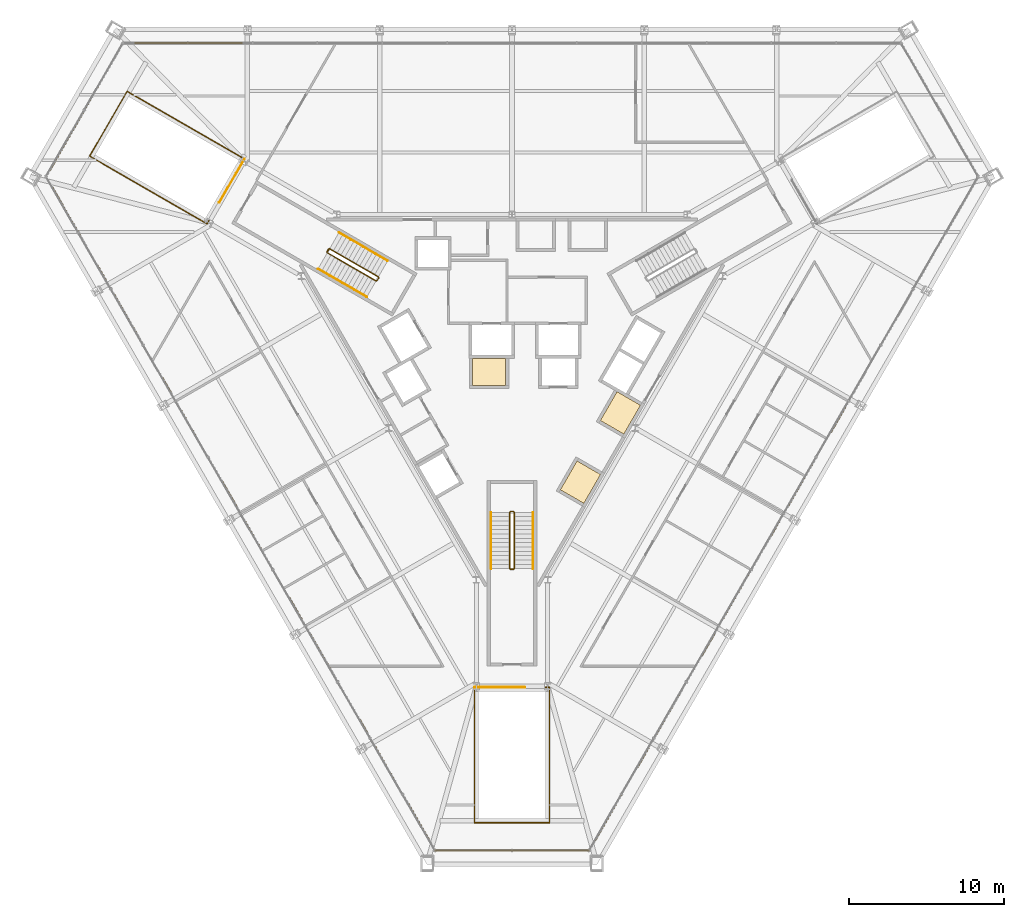
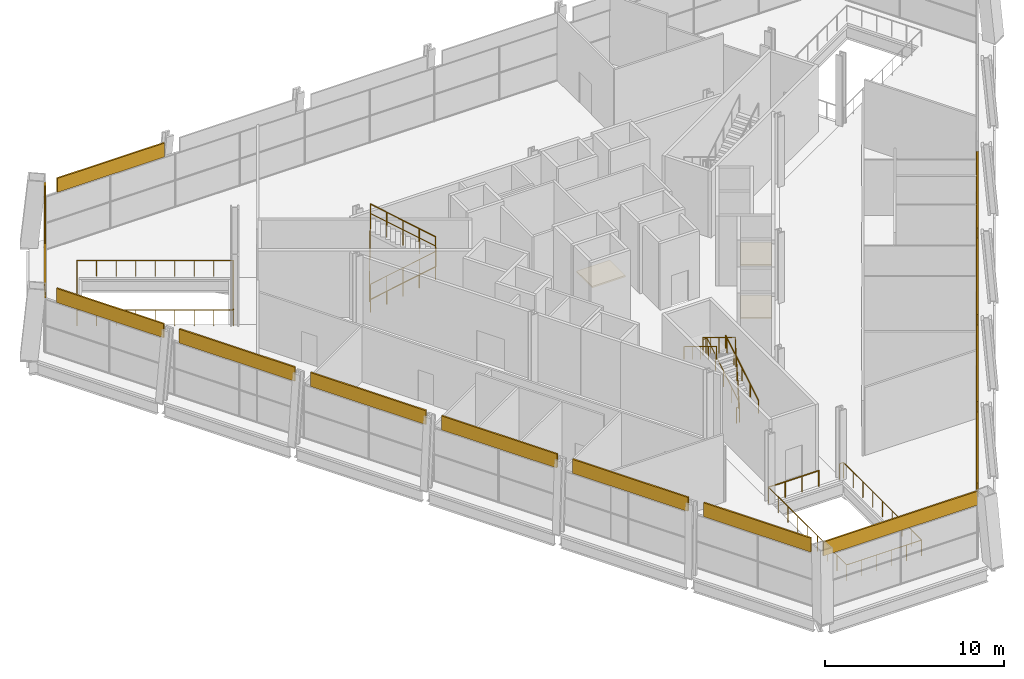
# One storey, part 17 of 18: 16 coverings, 10 railings.
"""IFC4 building model written with IfcOpenShell, lengths in metres."""

from ifc_helpers import new_model, si_unit, direction, frame, origin, origin_2d, place, context, subcontext, project, spatial, polyline, rectangle, circle, outline, extrude, material, layer, layer_set, type_object, element, save


model = new_model("IFC4")

# Units and contexts
model_context = context("Model", 3, precision=1e-05, world=origin(), true_north=direction((0.0, 1.0)))
body_context = subcontext(model_context, "Body", "Model", "MODEL_VIEW")
ifc_project = project(units=[si_unit("LENGTHUNIT", "METRE"), si_unit("AREAUNIT", "SQUARE_METRE"), si_unit("VOLUMEUNIT", "CUBIC_METRE"), si_unit("PLANEANGLEUNIT", "RADIAN"), si_unit("MASSUNIT", "GRAM", prefix="KILO")], contexts=[model_context])

# Site, building, storey
site_placement = place(None, origin())
site = spatial("IfcSite", under=ifc_project, at=site_placement, CompositionType="ELEMENT")
building_placement = place(site_placement, origin())
building = spatial("IfcBuilding", under=site, at=building_placement, Name="Verrane Prism Tower", CompositionType="ELEMENT")
storey_placement = place(building_placement, frame((0.0, 0.0, 32.0)))
storey = spatial("IfcBuildingStorey", under=building, at=storey_placement, Name="L05", CompositionType="ELEMENT", Elevation=32.0)

# Coverings
ifc_material_1 = material(Name="Limestone cladding", Category="masonry")
ifc_layer_1 = layer(ifc_material_1, 0.10009765625)
ifc_layer_set_1 = layer_set([ifc_layer_1], Name="FA-100 stone fascia panel")
covering_type_1 = type_object("IfcCoveringType", Name="FA-100 stone fascia panel", PredefinedType="CLADDING", material=ifc_layer_set_1)
covering_1_placement = place(storey_placement, frame((-20.908203125, 20.27001953125, 3.68994140625), z_axis=(0.0, 0.0, 1.0), x_axis=(-1.0, 0.0, 0.0)))
element("IfcCovering", 1, at=covering_1_placement, inside=storey, type_object=covering_type_1, Name="Stone fascia L05 2.6", PredefinedType="CLADDING", context=body_context, shape_type="SweptSolid", body=[
    extrude(rectangle(XDim=6.93115234375, YDim=0.10009765625, at=origin_2d()), origin(), (0.0, 0.0, 1.0), 0.949951171875),
])
covering_2_placement = place(storey_placement, frame((-27.63818359375, 15.956787109375, 3.68994140625), z_axis=(0.0, 0.0, 1.0), x_axis=(-0.499999190728, -0.866025871017, 0.0)))
element("IfcCovering", 2, at=covering_2_placement, inside=storey, type_object=covering_type_1, Name="Stone fascia L05 3.1", PredefinedType="CLADDING", context=body_context, shape_type="SweptSolid", body=[
    extrude(rectangle(XDim=9.960693359375, YDim=0.10009765625, at=origin_2d()), origin(), (0.0, 0.0, 1.0), 0.949951171875),
])
covering_3_placement = place(storey_placement, frame((-28.010498046875, 7.975341796875, 3.68994140625), z_axis=(0.0, 0.0, 1.0), x_axis=(0.500000118955, -0.866025335106, 0.0)))
element("IfcCovering", 3, at=covering_3_placement, inside=storey, type_object=covering_type_1, Name="Stone fascia L05 4.1", PredefinedType="CLADDING", context=body_context, shape_type="SweptSolid", body=[
    extrude(rectangle(XDim=6.934326171875, YDim=0.10009765625, at=origin_2d()), origin(), (0.0, 0.0, 1.0), 0.949951171875),
])
covering_4_placement = place(storey_placement, frame((-23.908203125, 0.870361328125, 3.68994140625), z_axis=(0.0, 0.0, 1.0), x_axis=(0.500000118955, -0.866025335106, 0.0)))
element("IfcCovering", 4, at=covering_4_placement, inside=storey, type_object=covering_type_1, Name="Stone fascia L05 4.2", PredefinedType="CLADDING", context=body_context, shape_type="SweptSolid", body=[
    extrude(rectangle(XDim=7.473876953125, YDim=0.10009765625, at=origin_2d()), origin(), (0.0, 0.0, 1.0), 0.949951171875),
])
covering_5_placement = place(storey_placement, frame((-19.673095703125, -6.465087890625, 3.68994140625), z_axis=(0.0, 0.0, 1.0), x_axis=(0.500000118955, -0.866025335106, 0.0)))
element("IfcCovering", 5, at=covering_5_placement, inside=storey, type_object=covering_type_1, Name="Stone fascia L05 4.3", PredefinedType="CLADDING", context=body_context, shape_type="SweptSolid", body=[
    extrude(rectangle(XDim=7.466796875, YDim=0.10009765625, at=origin_2d()), origin(), (0.0, 0.0, 1.0), 0.949951171875),
])
covering_6_placement = place(storey_placement, frame((-15.438232421875, -13.800048828125, 3.68994140625), z_axis=(0.0, 0.0, 1.0), x_axis=(0.500000118955, -0.866025335106, 0.0)))
element("IfcCovering", 6, at=covering_6_placement, inside=storey, type_object=covering_type_1, Name="Stone fascia L05 4.4", PredefinedType="CLADDING", context=body_context, shape_type="SweptSolid", body=[
    extrude(rectangle(XDim=7.472900390625, YDim=0.10009765625, at=origin_2d()), origin(), (0.0, 0.0, 1.0), 0.949951171875),
])
covering_7_placement = place(storey_placement, frame((-11.20166015625, -21.13818359375, 3.68994140625), z_axis=(0.0, 0.0, 1.0), x_axis=(0.500000118955, -0.866025335106, 0.0)))
element("IfcCovering", 7, at=covering_7_placement, inside=storey, type_object=covering_type_1, Name="Stone fascia L05 4.5", PredefinedType="CLADDING", context=body_context, shape_type="SweptSolid", body=[
    extrude(rectangle(XDim=7.473876953125, YDim=0.10009765625, at=origin_2d()), origin(), (0.0, 0.0, 1.0), 0.949951171875),
])
covering_8_placement = place(storey_placement, frame((-7.099365234375, -28.24365234375, 3.68994140625), z_axis=(0.0, 0.0, 1.0), x_axis=(0.500000118955, -0.866025335106, 0.0)))
element("IfcCovering", 8, at=covering_8_placement, inside=storey, type_object=covering_type_1, Name="Stone fascia L05 4.6", PredefinedType="CLADDING", context=body_context, shape_type="SweptSolid", body=[
    extrude(rectangle(XDim=6.935302734375, YDim=0.10009765625, at=origin_2d()), origin(), (0.0, 0.0, 1.0), 0.949951171875),
])
covering_9_placement = place(storey_placement, frame((0.0, -31.913818359375, 3.68994140625), z_axis=(0.0, 0.0, 1.0), x_axis=(1.0, 0.0, 0.0)))
element("IfcCovering", 9, at=covering_9_placement, inside=storey, type_object=covering_type_1, Name="Stone fascia L05 5.1", PredefinedType="CLADDING", context=body_context, shape_type="SweptSolid", body=[
    extrude(rectangle(XDim=9.960693359375, YDim=0.10009765625, at=origin_2d()), origin(), (0.0, 0.0, 1.0), 0.949951171875),
])
covering_10_placement = place(storey_placement, frame((7.099365234375, -28.24365234375, 3.68994140625), z_axis=(0.0, 0.0, 1.0), x_axis=(0.500000118955, 0.866025335106, 0.0)))
element("IfcCovering", 10, at=covering_10_placement, inside=storey, type_object=covering_type_1, Name="Stone fascia L05 6.1", PredefinedType="CLADDING", context=body_context, shape_type="SweptSolid", body=[
    extrude(rectangle(XDim=6.935302734375, YDim=0.10009765625, at=origin_2d()), origin(), (0.0, 0.0, 1.0), 0.949951171875),
])
covering_11_placement = place(storey_placement, frame((11.20166015625, -21.13818359375, 3.68994140625), z_axis=(0.0, 0.0, 1.0), x_axis=(0.500000118955, 0.866025335106, 0.0)))
element("IfcCovering", 11, at=covering_11_placement, inside=storey, type_object=covering_type_1, Name="Stone fascia L05 6.2", PredefinedType="CLADDING", context=body_context, shape_type="SweptSolid", body=[
    extrude(rectangle(XDim=7.473876953125, YDim=0.10009765625, at=origin_2d()), origin(), (0.0, 0.0, 1.0), 0.949951171875),
])
covering_12_placement = place(storey_placement, frame((15.438232421875, -13.800048828125, 3.68994140625), z_axis=(0.0, 0.0, 1.0), x_axis=(0.500000118955, 0.866025335106, 0.0)))
element("IfcCovering", 12, at=covering_12_placement, inside=storey, type_object=covering_type_1, Name="Stone fascia L05 6.3", PredefinedType="CLADDING", context=body_context, shape_type="SweptSolid", body=[
    extrude(rectangle(XDim=7.472900390625, YDim=0.10009765625, at=origin_2d()), origin(), (0.0, 0.0, 1.0), 0.949951171875),
])
covering_13_placement = place(storey_placement, frame((19.673095703125, -6.465087890625, 3.68994140625), z_axis=(0.0, 0.0, 1.0), x_axis=(0.500000118955, 0.866025335106, 0.0)))
element("IfcCovering", 13, at=covering_13_placement, inside=storey, type_object=covering_type_1, Name="Stone fascia L05 6.4", PredefinedType="CLADDING", context=body_context, shape_type="SweptSolid", body=[
    extrude(rectangle(XDim=7.466796875, YDim=0.10009765625, at=origin_2d()), origin(), (0.0, 0.0, 1.0), 0.949951171875),
])

# Railings
ifc_material_2 = material(Name="Stainless steel and laminated glass", Category="steel")
railing_type_1 = type_object("IfcRailingType", Name="GR-1100 glass and steel guard", PredefinedType="GUARDRAIL", material=ifc_material_2)
railing_1_placement = place(storey_placement, frame((-17.296875, 12.78076171875, 0.0)))
element("IfcRailing", 14, at=railing_1_placement, inside=storey, type_object=railing_type_1, Name="Guard EW2 L05 1", PredefinedType="GUARDRAIL", context=body_context, shape_type="SweptSolid", body=[
    extrude(circle(Radius=0.02392578125, at=origin_2d()), frame((0.0, 0.0, 1.076171875), z_axis=(-0.866029934428, 0.499992152613, 0.0), x_axis=(-0.499992152613, -0.866029934428, 0.0)), (0.0, 0.0, 1.0), 8.750244140625),
    extrude(circle(Radius=0.02392578125, at=origin_2d()), frame((-7.577880859375, 4.375, 1.076171875), z_axis=(-0.499980071345, -0.866036909293, 0.0), x_axis=(0.866036909293, -0.499980071345, 0.0)), (0.0, 0.0, 1.0), 4.840087890625),
    extrude(circle(Radius=0.02392578125, at=origin_2d()), frame((-9.997802734375, 0.183349609375, 1.076171875), z_axis=(0.866022959057, -0.500004234368, 0.0), x_axis=(0.500004234368, 0.866022959057, 0.0)), (0.0, 0.0, 1.0), 8.75),
    extrude(circle(Radius=0.02392578125, at=origin_2d()), frame((-2.420166015625, -4.191650390625, 1.076171875), z_axis=(0.499919672301, 0.866071776036, 0.0), x_axis=(-0.866071776036, 0.499919672301, 0.0)), (0.0, 0.0, 1.0), 0.25),
    extrude(circle(Radius=0.02099609375, at=origin_2d()), origin(), (0.0, 0.0, 1.0), 1.052001953125),
    extrude(circle(Radius=0.02099609375, at=origin_2d()), frame((-0.947265625, 0.546875, 0.0)), (0.0, 0.0, 1.0), 1.052001953125),
    extrude(circle(Radius=0.02099609375, at=origin_2d()), frame((-1.89453125, 1.09375, 0.0)), (0.0, 0.0, 1.0), 1.052001953125),
    extrude(circle(Radius=0.02099609375, at=origin_2d()), frame((-2.841796875, 1.640625, 0.0)), (0.0, 0.0, 1.0), 1.052001953125),
    extrude(circle(Radius=0.02099609375, at=origin_2d()), frame((-3.7890625, 2.1875, 0.0)), (0.0, 0.0, 1.0), 1.052001953125),
    extrude(circle(Radius=0.02099609375, at=origin_2d()), frame((-4.736083984375, 2.734375, 0.0)), (0.0, 0.0, 1.0), 1.052001953125),
    extrude(circle(Radius=0.02099609375, at=origin_2d()), frame((-5.683349609375, 3.28125, 0.0)), (0.0, 0.0, 1.0), 1.052001953125),
    extrude(circle(Radius=0.02099609375, at=origin_2d()), frame((-6.630615234375, 3.828125, 0.0)), (0.0, 0.0, 1.0), 1.052001953125),
    extrude(circle(Radius=0.02099609375, at=origin_2d()), frame((-7.577880859375, 4.375, 0.0)), (0.0, 0.0, 1.0), 1.052001953125),
    extrude(circle(Radius=0.02099609375, at=origin_2d()), frame((-8.061767578125, 3.53662109375, 0.0)), (0.0, 0.0, 1.0), 1.052001953125),
    extrude(circle(Radius=0.02099609375, at=origin_2d()), frame((-8.5458984375, 2.6982421875, 0.0)), (0.0, 0.0, 1.0), 1.052001953125),
    extrude(circle(Radius=0.02099609375, at=origin_2d()), frame((-9.02978515625, 1.860107421875, 0.0)), (0.0, 0.0, 1.0), 1.052001953125),
    extrude(circle(Radius=0.02099609375, at=origin_2d()), frame((-9.513916015625, 1.021728515625, 0.0)), (0.0, 0.0, 1.0), 1.052001953125),
    extrude(circle(Radius=0.02099609375, at=origin_2d()), frame((-9.997802734375, 0.183349609375, 0.0)), (0.0, 0.0, 1.0), 1.052001953125),
    extrude(circle(Radius=0.02099609375, at=origin_2d()), frame((-9.050537109375, -0.363525390625, 0.0)), (0.0, 0.0, 1.0), 1.052001953125),
    extrude(circle(Radius=0.02099609375, at=origin_2d()), frame((-8.103515625, -0.910400390625, 0.0)), (0.0, 0.0, 1.0), 1.052001953125),
    extrude(circle(Radius=0.02099609375, at=origin_2d()), frame((-7.15625, -1.457275390625, 0.0)), (0.0, 0.0, 1.0), 1.052001953125),
    extrude(circle(Radius=0.02099609375, at=origin_2d()), frame((-6.208984375, -2.004150390625, 0.0)), (0.0, 0.0, 1.0), 1.052001953125),
    extrude(circle(Radius=0.02099609375, at=origin_2d()), frame((-5.26171875, -2.551025390625, 0.0)), (0.0, 0.0, 1.0), 1.052001953125),
    extrude(circle(Radius=0.02099609375, at=origin_2d()), frame((-4.314453125, -3.097900390625, 0.0)), (0.0, 0.0, 1.0), 1.052001953125),
    extrude(circle(Radius=0.02099609375, at=origin_2d()), frame((-3.367431640625, -3.644775390625, 0.0)), (0.0, 0.0, 1.0), 1.052001953125),
    extrude(circle(Radius=0.02099609375, at=origin_2d()), frame((-2.420166015625, -4.191650390625, 0.0)), (0.0, 0.0, 1.0), 1.052001953125),
    extrude(circle(Radius=0.02099609375, at=origin_2d()), frame((-2.295166015625, -3.97509765625, 0.0)), (0.0, 0.0, 1.0), 1.052001953125),
])
railing_2_placement = place(storey_placement, frame((-18.921875, 9.96630859375, 0.0)))
element("IfcRailing", 15, at=railing_2_placement, inside=storey, type_object=railing_type_1, Name="Guard EW2 L05 2", PredefinedType="GUARDRAIL", context=body_context, shape_type="SweptSolid", body=[
    extrude(circle(Radius=0.02392578125, at=origin_2d()), frame((0.0, 0.0, 1.076171875), z_axis=(0.500017246033, 0.866015446554, 0.0), x_axis=(-0.866015446554, 0.500017246033, 0.0)), (0.0, 0.0, 1.0), 3.25),
    extrude(circle(Radius=0.02099609375, at=origin_2d()), origin(), (0.0, 0.0, 1.0), 1.052001953125),
    extrude(circle(Radius=0.02099609375, at=origin_2d()), frame((0.541748046875, 0.938232421875, 0.0)), (0.0, 0.0, 1.0), 1.052001953125),
    extrude(circle(Radius=0.02099609375, at=origin_2d()), frame((1.083251953125, 1.876220703125, 0.0)), (0.0, 0.0, 1.0), 1.052001953125),
    extrude(circle(Radius=0.02099609375, at=origin_2d()), frame((1.625, 2.814453125, 0.0)), (0.0, 0.0, 1.0), 1.052001953125),
])
railing_3_placement = place(storey_placement, frame((-2.419921875, -21.3701171875, 0.0)))
element("IfcRailing", 16, at=railing_3_placement, inside=storey, type_object=railing_type_1, Name="Guard EW3 L05 1", PredefinedType="GUARDRAIL", context=body_context, shape_type="SweptSolid", body=[
    extrude(circle(Radius=0.02392578125, at=origin_2d()), frame((0.0, 0.0, 1.076171875), z_axis=(0.0, -1.0, 0.0), x_axis=(1.0, 0.0, 0.0)), (0.0, 0.0, 1.0), 8.75),
    extrude(circle(Radius=0.02392578125, at=origin_2d()), frame((0.0, -8.75, 1.076171875), z_axis=(1.0, 0.0, 0.0), x_axis=(0.0, 1.0, 0.0)), (0.0, 0.0, 1.0), 4.83984375),
    extrude(circle(Radius=0.02392578125, at=origin_2d()), frame((4.83984375, -8.75, 1.076171875), z_axis=(0.0, 1.0, 0.0), x_axis=(-1.0, 0.0, 0.0)), (0.0, 0.0, 1.0), 8.75),
    extrude(circle(Radius=0.02392578125, at=origin_2d()), frame((4.83984375, 0.0, 1.076171875), z_axis=(-1.0, 0.0, 0.0), x_axis=(0.0, -1.0, 0.0)), (0.0, 0.0, 1.0), 0.25),
    extrude(circle(Radius=0.02099609375, at=origin_2d()), origin(), (0.0, 0.0, 1.0), 1.052001953125),
    extrude(circle(Radius=0.02099609375, at=origin_2d()), frame((0.0, -1.09375, 0.0)), (0.0, 0.0, 1.0), 1.052001953125),
    extrude(circle(Radius=0.02099609375, at=origin_2d()), frame((0.0, -2.1875, 0.0)), (0.0, 0.0, 1.0), 1.052001953125),
    extrude(circle(Radius=0.02099609375, at=origin_2d()), frame((0.0, -3.28125, 0.0)), (0.0, 0.0, 1.0), 1.052001953125),
    extrude(circle(Radius=0.02099609375, at=origin_2d()), frame((0.0, -4.375, 0.0)), (0.0, 0.0, 1.0), 1.052001953125),
    extrude(circle(Radius=0.02099609375, at=origin_2d()), frame((0.0, -5.46875, 0.0)), (0.0, 0.0, 1.0), 1.052001953125),
    extrude(circle(Radius=0.02099609375, at=origin_2d()), frame((0.0, -6.5625, 0.0)), (0.0, 0.0, 1.0), 1.052001953125),
    extrude(circle(Radius=0.02099609375, at=origin_2d()), frame((0.0, -7.65625, 0.0)), (0.0, 0.0, 1.0), 1.052001953125),
    extrude(circle(Radius=0.02099609375, at=origin_2d()), frame((0.0, -8.75, 0.0)), (0.0, 0.0, 1.0), 1.052001953125),
    extrude(circle(Radius=0.02099609375, at=origin_2d()), frame((0.968017578125, -8.75, 0.0)), (0.0, 0.0, 1.0), 1.052001953125),
    extrude(circle(Radius=0.02099609375, at=origin_2d()), frame((1.93603515625, -8.75, 0.0)), (0.0, 0.0, 1.0), 1.052001953125),
    extrude(circle(Radius=0.02099609375, at=origin_2d()), frame((2.90380859375, -8.75, 0.0)), (0.0, 0.0, 1.0), 1.052001953125),
    extrude(circle(Radius=0.02099609375, at=origin_2d()), frame((3.871826171875, -8.75, 0.0)), (0.0, 0.0, 1.0), 1.052001953125),
    extrude(circle(Radius=0.02099609375, at=origin_2d()), frame((4.83984375, -8.75, 0.0)), (0.0, 0.0, 1.0), 1.052001953125),
    extrude(circle(Radius=0.02099609375, at=origin_2d()), frame((4.83984375, -7.65625, 0.0)), (0.0, 0.0, 1.0), 1.052001953125),
    extrude(circle(Radius=0.02099609375, at=origin_2d()), frame((4.83984375, -6.5625, 0.0)), (0.0, 0.0, 1.0), 1.052001953125),
    extrude(circle(Radius=0.02099609375, at=origin_2d()), frame((4.83984375, -5.46875, 0.0)), (0.0, 0.0, 1.0), 1.052001953125),
    extrude(circle(Radius=0.02099609375, at=origin_2d()), frame((4.83984375, -4.375, 0.0)), (0.0, 0.0, 1.0), 1.052001953125),
    extrude(circle(Radius=0.02099609375, at=origin_2d()), frame((4.83984375, -3.28125, 0.0)), (0.0, 0.0, 1.0), 1.052001953125),
    extrude(circle(Radius=0.02099609375, at=origin_2d()), frame((4.83984375, -2.1875, 0.0)), (0.0, 0.0, 1.0), 1.052001953125),
    extrude(circle(Radius=0.02099609375, at=origin_2d()), frame((4.83984375, -1.09375, 0.0)), (0.0, 0.0, 1.0), 1.052001953125),
    extrude(circle(Radius=0.02099609375, at=origin_2d()), frame((4.83984375, 0.0, 0.0)), (0.0, 0.0, 1.0), 1.052001953125),
    extrude(circle(Radius=0.02099609375, at=origin_2d()), frame((4.58984375, 0.0, 0.0)), (0.0, 0.0, 1.0), 1.052001953125),
])
railing_4_placement = place(storey_placement, frame((0.830078125, -21.3701171875, 0.0)))
element("IfcRailing", 17, at=railing_4_placement, inside=storey, type_object=railing_type_1, Name="Guard EW3 L05 2", PredefinedType="GUARDRAIL", context=body_context, shape_type="SweptSolid", body=[
    extrude(circle(Radius=0.02392578125, at=origin_2d()), frame((0.0, 0.0, 1.076171875), z_axis=(-1.0, 0.0, 0.0), x_axis=(0.0, -1.0, 0.0)), (0.0, 0.0, 1.0), 3.25),
    extrude(circle(Radius=0.02099609375, at=origin_2d()), origin(), (0.0, 0.0, 1.0), 1.052001953125),
    extrude(circle(Radius=0.02099609375, at=origin_2d()), frame((-1.083251953125, 0.0, 0.0)), (0.0, 0.0, 1.0), 1.052001953125),
    extrude(circle(Radius=0.02099609375, at=origin_2d()), frame((-2.166748046875, 0.0, 0.0)), (0.0, 0.0, 1.0), 1.052001953125),
    extrude(circle(Radius=0.02099609375, at=origin_2d()), frame((-3.25, 0.0, 0.0)), (0.0, 0.0, 1.0), 1.052001953125),
])

# Coverings
ifc_material_3 = material(Name="Concrete C40/50", Category="concrete")
ifc_layer_2 = layer(ifc_material_3, 0.10009765625)
ifc_layer_set_2 = layer_set([ifc_layer_2], Name="Lift pit floor 100 concrete C40/50")
covering_type_2 = type_object("IfcCoveringType", Name="Lift pit floor 100 concrete C40/50", PredefinedType="FLOORING", material=ifc_layer_set_2)
covering_14_placement = place(storey_placement, frame((0.0, 0.0, 2.89990234375)))
element("IfcCovering", 18, at=covering_14_placement, inside=storey, type_object=covering_type_2, Name="Bank A lift 2 pit floor", PredefinedType="FLOORING", context=body_context, shape_type="SweptSolid", body=[
    extrude(outline(polyline([(-2.554931640625, -1.85009765625), (-2.554931640625, -0.10009765625), (-0.405029296875, -0.10009765625), (-0.405029296875, -1.85009765625), (-2.554931640625, -1.85009765625)])), origin(), (0.0, 0.0, 1.0), 0.10009765625),
])
covering_15_placement = place(storey_placement, frame((0.0, 0.0, 2.89990234375)))
element("IfcCovering", 19, at=covering_15_placement, inside=storey, type_object=covering_type_2, Name="Bank A lift 4 pit floor", PredefinedType="FLOORING", context=body_context, shape_type="SweptSolid", body=[
    extrude(outline(polyline([(4.203369140625, -6.739501953125), (5.718994140625, -7.614501953125), (4.643798828125, -9.4765625), (3.12841796875, -8.6015625), (4.203369140625, -6.739501953125)])), origin(), (0.0, 0.0, 1.0), 0.10009765625),
])
covering_16_placement = place(storey_placement, frame((0.0, 0.0, 2.89990234375)))
element("IfcCovering", 20, at=covering_16_placement, inside=storey, type_object=covering_type_2, Name="Bank A lift 5 pit floor", PredefinedType="FLOORING", context=body_context, shape_type="SweptSolid", body=[
    extrude(outline(polyline([(6.788330078125, -2.26220703125), (8.303955078125, -3.13720703125), (7.22900390625, -4.999267578125), (5.71337890625, -4.124267578125), (6.788330078125, -2.26220703125)])), origin(), (0.0, 0.0, 1.0), 0.10009765625),
])

# Railings
ifc_material_4 = material(Name="Steel A36 rail and posts, no infill", Category="steel")
railing_type_2 = type_object("IfcRailingType", Name="Stair guard 1100 steel rail and posts", PredefinedType="GUARDRAIL", material=ifc_material_4)
railing_5_placement = place(storey_placement, frame((-11.939453125, 6.72021484375, 0.17138671875)))
element("IfcRailing", 21, at=railing_5_placement, inside=storey, type_object=railing_type_2, Name="Stair 2 guard", PredefinedType="GUARDRAIL", context=body_context, shape_type="SweptSolid", body=[
    extrude(circle(Radius=0.02392578125, at=origin_2d()), frame((0.0, 0.0, 1.076171875), z_axis=(0.738592093898, -0.426440834883, 0.522139764025), x_axis=(0.500012742938, 0.866018046521, 0.0)), (0.0, 0.0, 1.0), 4.26806640625),
    extrude(circle(Radius=0.02392578125, at=origin_2d()), frame((3.15234375, -1.820068359375, 3.3046875), z_axis=(0.965715946433, 0.259601060869, 0.0), x_axis=(-0.259601060869, 0.965715946433, 0.0)), (0.0, 0.0, 1.0), 0.070556640625),
    extrude(circle(Radius=0.02392578125, at=origin_2d()), frame((3.220458984375, -1.8017578125, 3.3046875), z_axis=(0.500603037456, 0.865676959893, 0.0), x_axis=(-0.865676959893, 0.500603037456, 0.0)), (0.0, 0.0, 1.0), 0.199951171875),
    extrude(circle(Radius=0.02392578125, at=origin_2d()), frame((3.320556640625, -1.628662109375, 3.3046875), z_axis=(-0.098630094936, 0.368219021093, 0.924492756531), x_axis=(-0.965948051503, -0.258736085224, 0.0)), (0.0, 0.0, 1.0), 0.185546875),
    extrude(circle(Radius=0.02392578125, at=origin_2d()), frame((3.30224609375, -1.560302734375, 3.47607421875), z_axis=(-0.738592093898, 0.426440834883, 0.522139764025), x_axis=(-0.500012742938, -0.866018046521, 0.0)), (0.0, 0.0, 1.0), 4.26806640625),
    extrude(circle(Radius=0.02392578125, at=origin_2d()), frame((0.14990234375, 0.259765625, 5.70458984375), z_axis=(-0.034994649086, -0.039870536332, -0.998591866013), x_axis=(0.751567565678, -0.659656118156, 0.0)), (0.0, 0.0, 1.0), 4.806884765625),
    extrude(circle(Radius=0.02392578125, at=origin_2d()), frame((-0.018310546875, 0.068115234375, 0.90478515625), z_axis=(0.499158860599, 0.866510491504, 0.0), x_axis=(-0.866510491504, 0.499158860599, 0.0)), (0.0, 0.0, 1.0), 0.199951171875),
    extrude(circle(Radius=0.02099609375, at=origin_2d()), origin(), (0.0, 0.0, 1.0), 1.052001953125),
    extrude(circle(Radius=0.02099609375, at=origin_2d()), frame((0.7880859375, -0.455078125, 0.55712890625)), (0.0, 0.0, 1.0), 1.052001953125),
    extrude(circle(Radius=0.02099609375, at=origin_2d()), frame((1.576171875, -0.91015625, 1.1142578125)), (0.0, 0.0, 1.0), 1.052001953125),
    extrude(circle(Radius=0.02099609375, at=origin_2d()), frame((2.3642578125, -1.364990234375, 1.67138671875)), (0.0, 0.0, 1.0), 1.052001953125),
    extrude(circle(Radius=0.02099609375, at=origin_2d()), frame((3.15234375, -1.820068359375, 2.228515625)), (0.0, 0.0, 1.0), 1.052001953125),
    extrude(circle(Radius=0.02099609375, at=origin_2d()), frame((3.220458984375, -1.8017578125, 2.228515625)), (0.0, 0.0, 1.0), 1.052001953125),
    extrude(circle(Radius=0.02099609375, at=origin_2d()), frame((3.320556640625, -1.628662109375, 2.228515625)), (0.0, 0.0, 1.0), 1.052001953125),
    extrude(circle(Radius=0.02099609375, at=origin_2d()), frame((3.30224609375, -1.560302734375, 2.400146484375)), (0.0, 0.0, 1.0), 1.052001953125),
    extrude(circle(Radius=0.02099609375, at=origin_2d()), frame((2.51416015625, -1.105224609375, 2.957275390625)), (0.0, 0.0, 1.0), 1.052001953125),
    extrude(circle(Radius=0.02099609375, at=origin_2d()), frame((1.72607421875, -0.650390625, 3.514404296875)), (0.0, 0.0, 1.0), 1.052001953125),
    extrude(circle(Radius=0.02099609375, at=origin_2d()), frame((0.93798828125, -0.1953125, 4.071533203125)), (0.0, 0.0, 1.0), 1.052001953125),
    extrude(circle(Radius=0.02099609375, at=origin_2d()), frame((0.14990234375, 0.259765625, 4.628662109375)), (0.0, 0.0, 1.0), 1.052001953125),
    extrude(circle(Radius=0.02099609375, at=origin_2d()), frame((0.1162109375, 0.221435546875, 3.668701171875)), (0.0, 0.0, 1.0), 1.052001953125),
    extrude(circle(Radius=0.02099609375, at=origin_2d()), frame((0.08251953125, 0.18310546875, 2.708740234375)), (0.0, 0.0, 1.0), 1.052001953125),
    extrude(circle(Radius=0.02099609375, at=origin_2d()), frame((0.049072265625, 0.144775390625, 1.74853515625)), (0.0, 0.0, 1.0), 1.052001953125),
    extrude(circle(Radius=0.02099609375, at=origin_2d()), frame((0.015380859375, 0.1064453125, 0.78857421875)), (0.0, 0.0, 1.0), 1.052001953125),
    extrude(circle(Radius=0.02099609375, at=origin_2d()), frame((-0.018310546875, 0.068115234375, -0.17138671875)), (0.0, 0.0, 1.0), 1.052001953125),
    extrude(circle(Radius=0.02099609375, at=origin_2d()), frame((0.08154296875, 0.241455078125, -0.17138671875)), (0.0, 0.0, 1.0), 1.052001953125),
])
railing_6_placement = place(storey_placement, frame((0.14990234375, -13.699951171875, 0.17138671875)))
element("IfcRailing", 22, at=railing_6_placement, inside=storey, type_object=railing_type_2, Name="Stair 3 guard", PredefinedType="GUARDRAIL", context=body_context, shape_type="SweptSolid", body=[
    extrude(circle(Radius=0.02392578125, at=origin_2d()), frame((0.0, 0.0, 1.076171875), z_axis=(0.0, 0.852850264322, 0.5221555579), x_axis=(-1.0, 0.0, 0.0)), (0.0, 0.0, 1.0), 4.267822265625),
    extrude(circle(Radius=0.02392578125, at=origin_2d()), frame((0.0, 3.639892578125, 3.3046875), z_axis=(-0.705375805398, 0.708833529934, 0.0), x_axis=(-0.708833529934, -0.705375805398, 0.0)), (0.0, 0.0, 1.0), 0.070556640625),
    extrude(circle(Radius=0.02392578125, at=origin_2d()), frame((-0.0498046875, 3.68994140625, 3.3046875), z_axis=(-1.0, 0.0, 0.0), x_axis=(0.0, -1.0, 0.0)), (0.0, 0.0, 1.0), 0.2001953125),
    extrude(circle(Radius=0.02392578125, at=origin_2d()), frame((-0.25, 3.68994140625, 3.3046875), z_axis=(-0.268362981746, -0.269678486558, 0.924799883173), x_axis=(0.708833529934, -0.705375805398, 0.0)), (0.0, 0.0, 1.0), 0.185546875),
    extrude(circle(Radius=0.02392578125, at=origin_2d()), frame((-0.2998046875, 3.639892578125, 3.47607421875), z_axis=(0.0, -0.852850264322, 0.5221555579), x_axis=(1.0, 0.0, 0.0)), (0.0, 0.0, 1.0), 4.267822265625),
    extrude(circle(Radius=0.02392578125, at=origin_2d()), frame((-0.2998046875, 0.0, 5.70458984375), z_axis=(0.052009487098, -0.010412055523, -0.998592310381), x_axis=(0.196300278283, 0.98054382908, 0.0)), (0.0, 0.0, 1.0), 4.806884765625),
    extrude(circle(Radius=0.02392578125, at=origin_2d()), frame((-0.0498046875, -0.050048828125, 0.90478515625), z_axis=(-1.0, 0.0, 0.0), x_axis=(0.0, -1.0, 0.0)), (0.0, 0.0, 1.0), 0.2001953125),
    extrude(circle(Radius=0.02099609375, at=origin_2d()), origin(), (0.0, 0.0, 1.0), 1.052001953125),
    extrude(circle(Radius=0.02099609375, at=origin_2d()), frame((0.0, 0.909912109375, 0.55712890625)), (0.0, 0.0, 1.0), 1.052001953125),
    extrude(circle(Radius=0.02099609375, at=origin_2d()), frame((0.0, 1.81982421875, 1.1142578125)), (0.0, 0.0, 1.0), 1.052001953125),
    extrude(circle(Radius=0.02099609375, at=origin_2d()), frame((0.0, 2.72998046875, 1.67138671875)), (0.0, 0.0, 1.0), 1.052001953125),
    extrude(circle(Radius=0.02099609375, at=origin_2d()), frame((0.0, 3.639892578125, 2.228515625)), (0.0, 0.0, 1.0), 1.052001953125),
    extrude(circle(Radius=0.02099609375, at=origin_2d()), frame((-0.0498046875, 3.68994140625, 2.228515625)), (0.0, 0.0, 1.0), 1.052001953125),
    extrude(circle(Radius=0.02099609375, at=origin_2d()), frame((-0.25, 3.68994140625, 2.228515625)), (0.0, 0.0, 1.0), 1.052001953125),
    extrude(circle(Radius=0.02099609375, at=origin_2d()), frame((-0.2998046875, 3.639892578125, 2.400146484375)), (0.0, 0.0, 1.0), 1.052001953125),
    extrude(circle(Radius=0.02099609375, at=origin_2d()), frame((-0.2998046875, 2.72998046875, 2.957275390625)), (0.0, 0.0, 1.0), 1.052001953125),
    extrude(circle(Radius=0.02099609375, at=origin_2d()), frame((-0.2998046875, 1.81982421875, 3.514404296875)), (0.0, 0.0, 1.0), 1.052001953125),
    extrude(circle(Radius=0.02099609375, at=origin_2d()), frame((-0.2998046875, 0.909912109375, 4.071533203125)), (0.0, 0.0, 1.0), 1.052001953125),
    extrude(circle(Radius=0.02099609375, at=origin_2d()), frame((-0.2998046875, 0.0, 4.628662109375)), (0.0, 0.0, 1.0), 1.052001953125),
    extrude(circle(Radius=0.02099609375, at=origin_2d()), frame((-0.249755859375, -0.010009765625, 3.668701171875)), (0.0, 0.0, 1.0), 1.052001953125),
    extrude(circle(Radius=0.02099609375, at=origin_2d()), frame((-0.19970703125, -0.02001953125, 2.708740234375)), (0.0, 0.0, 1.0), 1.052001953125),
    extrude(circle(Radius=0.02099609375, at=origin_2d()), frame((-0.14990234375, -0.030029296875, 1.74853515625)), (0.0, 0.0, 1.0), 1.052001953125),
    extrude(circle(Radius=0.02099609375, at=origin_2d()), frame((-0.099853515625, -0.0400390625, 0.78857421875)), (0.0, 0.0, 1.0), 1.052001953125),
    extrude(circle(Radius=0.02099609375, at=origin_2d()), frame((-0.0498046875, -0.050048828125, -0.17138671875)), (0.0, 0.0, 1.0), 1.052001953125),
    extrude(circle(Radius=0.02099609375, at=origin_2d()), frame((-0.25, -0.050048828125, -0.17138671875)), (0.0, 0.0, 1.0), 1.052001953125),
])
ifc_material_5 = material(Name="Steel A36 tube", Category="steel")
railing_type_3 = type_object("IfcRailingType", Name="Stair handrail 900 steel tube", PredefinedType="HANDRAIL", material=ifc_material_5)
railing_7_placement = place(storey_placement, frame((-12.53955078125, 5.680908203125, 0.17138671875)))
element("IfcRailing", 23, at=railing_7_placement, inside=storey, type_object=railing_type_3, Name="Stair 2 handrail", PredefinedType="HANDRAIL", context=body_context, shape_type="SweptSolid", body=[
    extrude(circle(Radius=0.02392578125, at=origin_2d()), frame((0.0, 0.0, 0.8759765625), z_axis=(0.738592093898, -0.426440834883, 0.522139764025), x_axis=(0.500012742938, 0.866018046521, 0.0)), (0.0, 0.0, 1.0), 4.26806640625),
    extrude(circle(Radius=0.02099609375, at=origin_2d()), origin(), (0.0, 0.0, 1.0), 0.851806640625),
    extrude(circle(Radius=0.02099609375, at=origin_2d()), frame((0.7880859375, -0.455078125, 0.55712890625)), (0.0, 0.0, 1.0), 0.851806640625),
    extrude(circle(Radius=0.02099609375, at=origin_2d()), frame((1.576171875, -0.91015625, 1.1142578125)), (0.0, 0.0, 1.0), 0.851806640625),
    extrude(circle(Radius=0.02099609375, at=origin_2d()), frame((2.3642578125, -1.364990234375, 1.67138671875)), (0.0, 0.0, 1.0), 0.851806640625),
    extrude(circle(Radius=0.02099609375, at=origin_2d()), frame((3.15234375, -1.820068359375, 2.228515625)), (0.0, 0.0, 1.0), 0.851806640625),
])
railing_8_placement = place(storey_placement, frame((-8.037109375, 6.19921875, 2.571533203125)))
element("IfcRailing", 24, at=railing_8_placement, inside=storey, type_object=railing_type_3, Name="Stair 2 handrail", PredefinedType="HANDRAIL", context=body_context, shape_type="SweptSolid", body=[
    extrude(circle(Radius=0.02392578125, at=origin_2d()), frame((0.0, 0.0, 0.8759765625), z_axis=(-0.738610110021, 0.426394033464, 0.52215250033), x_axis=(-0.499962438169, -0.866047089031, 0.0)), (0.0, 0.0, 1.0), 4.267822265625),
    extrude(circle(Radius=0.02099609375, at=origin_2d()), origin(), (0.0, 0.0, 1.0), 0.851806640625),
    extrude(circle(Radius=0.02099609375, at=origin_2d()), frame((-0.7880859375, 0.455078125, 0.55712890625)), (0.0, 0.0, 1.0), 0.851806640625),
    extrude(circle(Radius=0.02099609375, at=origin_2d()), frame((-1.576171875, 0.909912109375, 1.1142578125)), (0.0, 0.0, 1.0), 0.851806640625),
    extrude(circle(Radius=0.02099609375, at=origin_2d()), frame((-2.3642578125, 1.36474609375, 1.67138671875)), (0.0, 0.0, 1.0), 0.851806640625),
    extrude(circle(Radius=0.02099609375, at=origin_2d()), frame((-3.15234375, 1.81982421875, 2.228515625)), (0.0, 0.0, 1.0), 0.851806640625),
])
railing_9_placement = place(storey_placement, frame((1.35009765625, -13.699951171875, 0.17138671875)))
element("IfcRailing", 25, at=railing_9_placement, inside=storey, type_object=railing_type_3, Name="Stair 3 handrail", PredefinedType="HANDRAIL", context=body_context, shape_type="SweptSolid", body=[
    extrude(circle(Radius=0.02392578125, at=origin_2d()), frame((0.0, 0.0, 0.8759765625), z_axis=(0.0, 0.852850264322, 0.5221555579), x_axis=(-1.0, 0.0, 0.0)), (0.0, 0.0, 1.0), 4.267822265625),
    extrude(circle(Radius=0.02099609375, at=origin_2d()), origin(), (0.0, 0.0, 1.0), 0.851806640625),
    extrude(circle(Radius=0.02099609375, at=origin_2d()), frame((0.0, 0.909912109375, 0.55712890625)), (0.0, 0.0, 1.0), 0.851806640625),
    extrude(circle(Radius=0.02099609375, at=origin_2d()), frame((0.0, 1.81982421875, 1.1142578125)), (0.0, 0.0, 1.0), 0.851806640625),
    extrude(circle(Radius=0.02099609375, at=origin_2d()), frame((0.0, 2.72998046875, 1.67138671875)), (0.0, 0.0, 1.0), 0.851806640625),
    extrude(circle(Radius=0.02099609375, at=origin_2d()), frame((0.0, 3.639892578125, 2.228515625)), (0.0, 0.0, 1.0), 0.851806640625),
])
railing_10_placement = place(storey_placement, frame((-1.35009765625, -10.06005859375, 2.571533203125)))
element("IfcRailing", 26, at=railing_10_placement, inside=storey, type_object=railing_type_3, Name="Stair 3 handrail", PredefinedType="HANDRAIL", context=body_context, shape_type="SweptSolid", body=[
    extrude(circle(Radius=0.02392578125, at=origin_2d()), frame((0.0, 0.0, 0.8759765625), z_axis=(0.0, -0.852850264322, 0.5221555579), x_axis=(1.0, 0.0, 0.0)), (0.0, 0.0, 1.0), 4.267822265625),
    extrude(circle(Radius=0.02099609375, at=origin_2d()), origin(), (0.0, 0.0, 1.0), 0.851806640625),
    extrude(circle(Radius=0.02099609375, at=origin_2d()), frame((0.0, -0.909912109375, 0.55712890625)), (0.0, 0.0, 1.0), 0.851806640625),
    extrude(circle(Radius=0.02099609375, at=origin_2d()), frame((0.0, -1.81982421875, 1.1142578125)), (0.0, 0.0, 1.0), 0.851806640625),
    extrude(circle(Radius=0.02099609375, at=origin_2d()), frame((0.0, -2.72998046875, 1.67138671875)), (0.0, 0.0, 1.0), 0.851806640625),
    extrude(circle(Radius=0.02099609375, at=origin_2d()), frame((0.0, -3.639892578125, 2.228515625)), (0.0, 0.0, 1.0), 0.851806640625),
])

save(model, "model.ifc")
